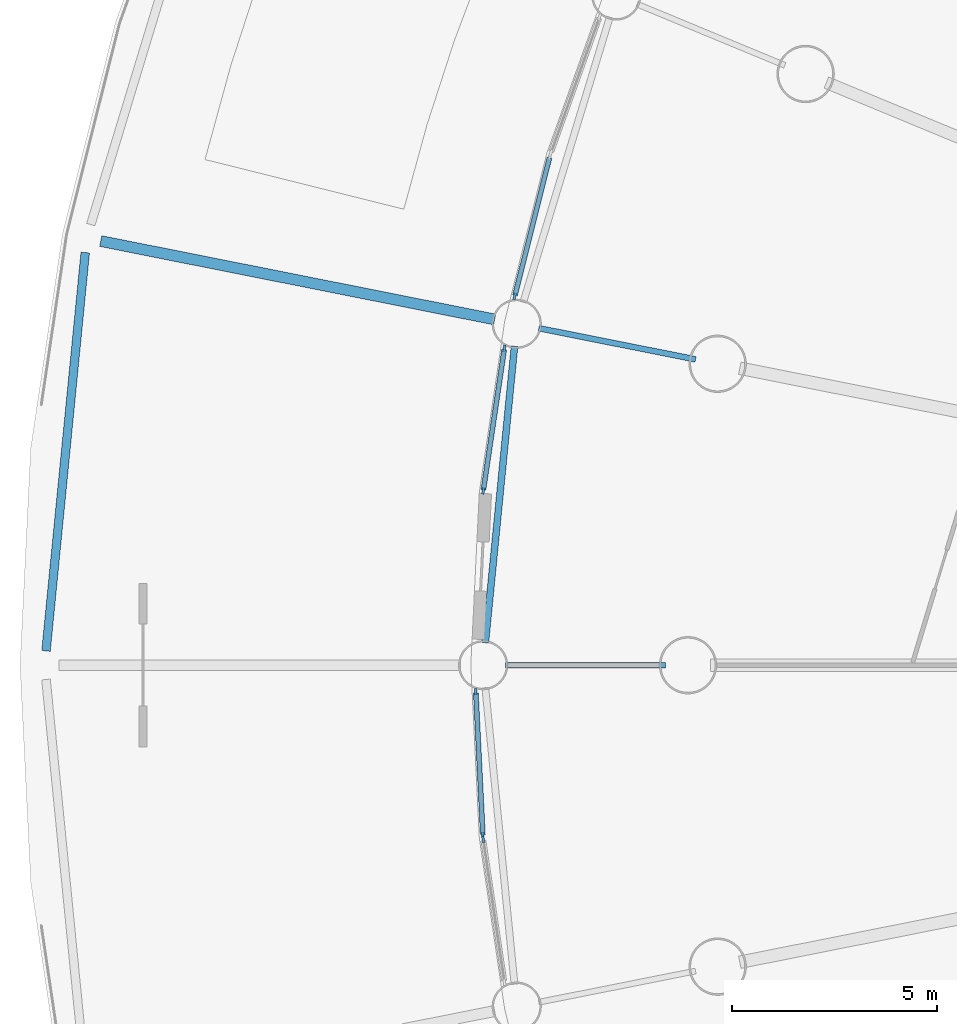
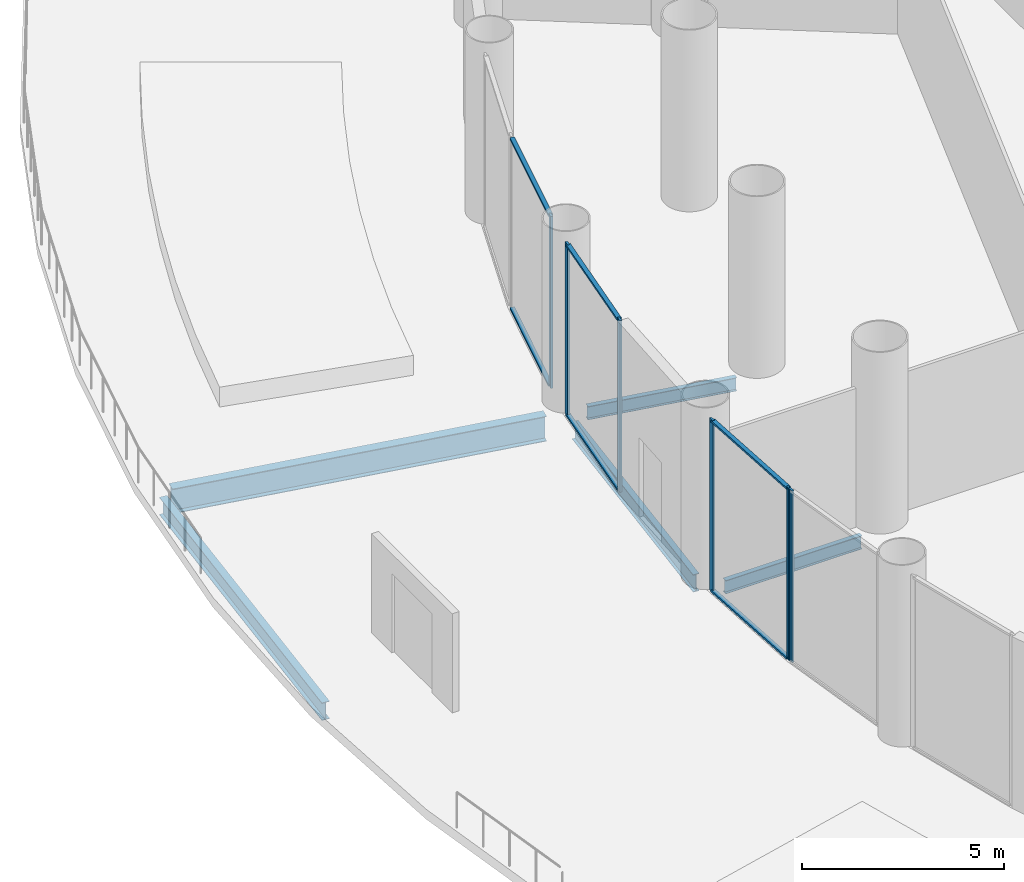
# One storey, part 8 of 36: 12 members, 5 beams, 4 elements without a shape of their own.
"""IFC4 building model written with IfcOpenShell, lengths in metres."""

import ifcopenshell
import ifcopenshell.guid

model = None  # the IFC model being written
_history = None  # IfcOwnerHistory: only IFC2X3 demands one
_inside = {}  # id of a spatial element -> (the spatial element, [elements in it])
_under = {}  # id of a project, library or spatial element -> (it, [spatial elements below it])
_declared = {}  # id of a project -> (the project, [libraries it declares])
_typed = {}  # id of a type object -> (the type object, [elements of that type])
_made_of = {}  # id of a material, layer set ... -> (it, [elements and type objects made of it])


def new_model(schema):
    """Start an empty IFC model of exactly this schema.

    Asked for "IFC4X3", IfcOpenShell would pick the latest addendum, in which some entities
    have other attributes; the version numbers below select the first issue.
    IFC2X3 requires an IfcOwnerHistory on every rooted entity: one is made here for all.
    """
    global model, _history
    if schema == "IFC4X3":
        model = ifcopenshell.file(schema_version=(4, 3, 0, 0))
    else:
        model = ifcopenshell.file(schema=schema)
    _inside.clear()
    _under.clear()
    _declared.clear()
    _typed.clear()
    _made_of.clear()
    _history = None
    if model.schema == "IFC2X3":
        org = make("IfcOrganization", Name="unknown")
        user = make(
            "IfcPersonAndOrganization",
            ThePerson=make("IfcPerson", FamilyName="unknown"),
            TheOrganization=org,
        )
        app = make(
            "IfcApplication",
            ApplicationDeveloper=org,
            Version="unknown",
            ApplicationFullName="unknown",
            ApplicationIdentifier="unknown",
        )
        _history = make(
            "IfcOwnerHistory",
            OwningUser=user,
            OwningApplication=app,
            ChangeAction="ADDED",
            CreationDate=0,
        )
    return model


def make(cls, **values):
    """One entity of the class cls with the attributes given. An attribute that is None is left unset."""
    return model.create_entity(
        cls, **{name: value for name, value in values.items() if value is not None}
    )


def rooted(cls, **values):
    """An entity with a GlobalId (a new one), such as an element, a storey or a relation."""
    return make(cls, GlobalId=ifcopenshell.guid.new(), OwnerHistory=_history, **values)


def si_unit(unit_type, name, prefix=None):
    """IfcSIUnit, for example si_unit("LENGTHUNIT", "METRE", prefix="MILLI")."""
    return make("IfcSIUnit", UnitType=unit_type, Prefix=prefix, Name=name)


def assignment(units):
    """IfcUnitAssignment: the units of a project."""
    return None if units is None else make("IfcUnitAssignment", Units=units)


def point(xyz):
    """IfcCartesianPoint."""
    return None if xyz is None else make("IfcCartesianPoint", Coordinates=xyz)


def direction(xyz):
    """IfcDirection."""
    return None if xyz is None else make("IfcDirection", DirectionRatios=xyz)


def frame(location, z_axis=None, x_axis=None):
    """IfcAxis2Placement3D, a coordinate frame: its origin and axes. An axis left out is left unset."""
    return make(
        "IfcAxis2Placement3D",
        Location=point(location),
        Axis=direction(z_axis),
        RefDirection=direction(x_axis),
    )


def frame_2d(location, x_axis=None):
    """IfcAxis2Placement2D, a coordinate frame in the plane: its origin and x axis."""
    return make(
        "IfcAxis2Placement2D", Location=point(location), RefDirection=direction(x_axis)
    )


def origin():
    """The frame at (0, 0, 0) with its axes left unset."""
    return frame((0.0, 0.0, 0.0))


def origin_2d():
    """The frame at (0, 0) in the plane with its x axis left unset."""
    return frame_2d((0.0, 0.0))


def place(relative_to, where):
    """IfcLocalPlacement: puts the frame where relative to a parent placement (None: the world)."""
    return make(
        "IfcLocalPlacement", PlacementRelTo=relative_to, RelativePlacement=where
    )


def context(
    kind, dimensions, precision=None, world=None, true_north=None, identifier=None
):
    """IfcGeometricRepresentationContext, for example the 3D "Model" context."""
    return make(
        "IfcGeometricRepresentationContext",
        ContextIdentifier=identifier,
        ContextType=kind,
        CoordinateSpaceDimension=dimensions,
        Precision=precision,
        WorldCoordinateSystem=world,
        TrueNorth=true_north,
    )


def subcontext(parent, identifier, kind, view, scale=None):
    """IfcGeometricRepresentationSubContext, for example "Body" below "Model"."""
    return make(
        "IfcGeometricRepresentationSubContext",
        ContextIdentifier=identifier,
        ContextType=kind,
        ParentContext=parent,
        TargetScale=scale,
        TargetView=view,
    )


def project(units=None, contexts=None):
    """IfcProject with its units and contexts."""
    return rooted(
        "IfcProject",
        Name="project",
        RepresentationContexts=contexts,
        UnitsInContext=assignment(units),
    )


def spatial(cls, under=None, at=None, **own):
    """A site, building, storey or space (cls), placed at a placement, below another one or the project."""
    s = rooted(cls, ObjectPlacement=at, **own)
    if under is not None:
        _under.setdefault(under.id(), (under, []))[1].append(s)
    return s


def profile(cls, at=None, kind="AREA", **sizes):
    """A parametric profile (cls). Its sizes go by their IFC names, for example OverallWidth=200.0."""
    return make(cls, ProfileType=kind, Position=at, **sizes)


def rectangle(**sizes):
    """IfcRectangleProfileDef."""
    return profile("IfcRectangleProfileDef", **sizes)


def i_section(**sizes):
    """IfcIShapeProfileDef."""
    return profile("IfcIShapeProfileDef", **sizes)


def extrude(swept, where, along, depth):
    """IfcExtrudedAreaSolid: the profile swept, set in the frame where, extruded along a direction by depth."""
    return make(
        "IfcExtrudedAreaSolid",
        SweptArea=swept,
        Position=where,
        ExtrudedDirection=direction(along),
        Depth=depth,
    )


def shape(context_of_items, identifier, shape_type, items):
    """IfcShapeRepresentation: the items that make up one representation, for example the "Body"."""
    return make(
        "IfcShapeRepresentation",
        ContextOfItems=context_of_items,
        RepresentationIdentifier=identifier,
        RepresentationType=shape_type,
        Items=items,
    )


def material(Name=None, Category=None):
    """IfcMaterial."""
    return make("IfcMaterial", Name=Name, Category=Category)


def material_profile(
    of_material, cross_section, Name=None, Category=None, Priority=None
):
    """IfcMaterialProfile: a cross section and its material."""
    return make(
        "IfcMaterialProfile",
        Name=Name,
        Material=of_material,
        Profile=cross_section,
        Priority=Priority,
        Category=Category,
    )


def profile_set(profiles, Name=None, composite=None):
    """IfcMaterialProfileSet."""
    return make(
        "IfcMaterialProfileSet",
        Name=Name,
        MaterialProfiles=profiles,
        CompositeProfile=composite,
    )


def made_of(thing, what):
    """Note that an element or type object is made of a material, layer set ...; save() writes the relation."""
    if what is not None:
        _made_of.setdefault(what.id(), (what, []))[1].append(thing)
    return thing


def type_object(cls, material=None, **own):
    """A type object (cls), such as IfcWallType, which elements share."""
    return made_of(rooted(cls, **own), material)


def element(
    cls,
    number,
    at=None,
    inside=None,
    cuts=None,
    type_object=None,
    material=None,
    context=None,
    identifier="Body",
    shape_type=None,
    held_by="IfcProductDefinitionShape",
    body=None,
    shapes=None,
    **own,
):
    """One element of the class cls, such as IfcWall. Its Tag is "e" and its number.

    at: its placement. inside: the storey or other place that contains it. cuts: it is an
    opening in that element (IfcRelVoidsElement). A single representation is given by context,
    identifier, shape_type and body (its items); several are given by shapes. held_by: the class
    of the entity that holds the representations. save() writes the other relations.
    """
    e = rooted(cls, Tag="e%d" % number, ObjectPlacement=at, **own)
    if body is not None:
        shapes = [shape(context, identifier, shape_type, body)]
    if shapes is not None:
        e.Representation = make(held_by, Representations=shapes)
    if inside is not None:
        _inside.setdefault(inside.id(), (inside, []))[1].append(e)
    if cuts is not None:
        rooted(
            "IfcRelVoidsElement", RelatingBuildingElement=cuts, RelatedOpeningElement=e
        )
    if type_object is not None:
        _typed.setdefault(type_object.id(), (type_object, []))[1].append(e)
    return made_of(e, material)


def aggregate(whole, parts):
    """IfcRelAggregates: a whole, such as a stair, and the parts it consists of."""
    return rooted("IfcRelAggregates", RelatingObject=whole, RelatedObjects=parts)


def save(model, path):
    """Write the relations noted so far, then the file.

    IfcRelAggregates (storeys below a building ...), IfcRelContainedInSpatialStructure (elements
    in a storey), IfcRelDefinesByType, IfcRelAssociatesMaterial and IfcRelDeclares: one each for
    every whole, place, type object, material and project.
    """
    for whole, parts in _under.values():
        aggregate(whole, parts)
    for where, things in _inside.values():
        rooted(
            "IfcRelContainedInSpatialStructure",
            RelatedElements=things,
            RelatingStructure=where,
        )
    for kind, things in _typed.values():
        rooted("IfcRelDefinesByType", RelatedObjects=things, RelatingType=kind)
    for what, things in _made_of.values():
        rooted("IfcRelAssociatesMaterial", RelatedObjects=things, RelatingMaterial=what)
    for by, libraries in _declared.values():
        rooted("IfcRelDeclares", RelatingContext=by, RelatedDefinitions=libraries)
    model.write(path)


model = new_model("IFC4")

# Units and contexts
model_context = context("Model", 3, precision=1e-05, world=origin(), true_north=direction((0.0, 1.0)))
body_context = subcontext(model_context, "Body", "Model", "MODEL_VIEW")
ifc_project = project(units=[si_unit("LENGTHUNIT", "METRE"), si_unit("AREAUNIT", "SQUARE_METRE"), si_unit("VOLUMEUNIT", "CUBIC_METRE"), si_unit("PLANEANGLEUNIT", "RADIAN"), si_unit("MASSUNIT", "GRAM", prefix="KILO")], contexts=[model_context])

# Site, building, storey
site_placement = place(None, origin())
site = spatial("IfcSite", under=ifc_project, at=site_placement, CompositionType="ELEMENT")
building_placement = place(site_placement, origin())
building = spatial("IfcBuilding", under=site, at=building_placement, Name="Corvane Civic Tower", CompositionType="ELEMENT")
storey_placement = place(building_placement, frame((0.0, 0.0, 6.0)))
storey = spatial("IfcBuildingStorey", under=building, at=storey_placement, Name="L01", CompositionType="ELEMENT", Elevation=6.0)

# Beams
ifc_material_1 = material(Name="Steel ASTM A992 Gr 50", Category="steel")
ifc_material_profile_1 = material_profile(ifc_material_1, i_section(OverallWidth=0.2666015625, OverallDepth=0.7568359375, WebThickness=0.013916015625, FlangeThickness=0.019287109375, at=origin_2d()), Name="W30X108")
ifc_profile_set_1 = profile_set([ifc_material_profile_1], Name="Steel ASTM A992 Gr 50")
beam_type_1 = type_object("IfcBeamType", Name="DECK BEAM W30X108", PredefinedType="BEAM", material=ifc_profile_set_1)
beam_1_placement = place(storey_placement, frame((-42.4189453125, 8.437744140625, -0.678466796875), z_axis=(-0.980786137942, 0.195086010826, 0.0), x_axis=(-0.195086010826, -0.980786137942, 0.0)))
element("IfcBeam", 1, at=beam_1_placement, inside=storey, type_object=beam_type_1, Name="BM-L01-D26", PredefinedType="BEAM", context=body_context, shape_type="SweptSolid", body=[
    extrude(i_section(OverallWidth=0.2666015625, OverallDepth=0.7568359375, WebThickness=0.013916015625, FlangeThickness=0.019287109375, at=origin_2d()), origin(), (0.0, 0.0, 1.0), 9.800048828125),
])
ifc_material_2 = material(Name="Steel ASTM A992 Gr 50", Category="steel")
ifc_material_profile_2 = material_profile(ifc_material_2, i_section(OverallWidth=0.165771484375, OverallDepth=0.5283203125, WebThickness=0.009765625, FlangeThickness=0.013671875, at=origin_2d()), Name="W21X50")
ifc_profile_set_2 = profile_set([ifc_material_profile_2], Name="Steel ASTM A992 Gr 50")
beam_type_2 = type_object("IfcBeamType", Name="EDGE BEAM W21X50", PredefinedType="BEAM", material=ifc_profile_set_2)
beam_2_placement = place(storey_placement, frame((-42.64599609375, 0.54736328125, -0.564208984375), z_axis=(0.097984225478, 0.995187967953, 0.0), x_axis=(-0.995187967953, 0.097984225478, 0.0)))
element("IfcBeam", 2, at=beam_2_placement, inside=storey, type_object=beam_type_2, Name="BM-L01-E25", PredefinedType="BEAM", context=body_context, shape_type="SweptSolid", body=[
    extrude(i_section(OverallWidth=0.165771484375, OverallDepth=0.5283203125, WebThickness=0.009765625, FlangeThickness=0.013671875, at=origin_2d()), origin(), (0.0, 0.0, 1.0), 7.2705078125),
])
ifc_material_3 = material(Name="Steel ASTM A992 Gr 50", Category="steel")
ifc_material_profile_3 = material_profile(ifc_material_3, i_section(OverallWidth=0.209228515625, OverallDepth=0.533447265625, WebThickness=0.01025390625, FlangeThickness=0.015625, at=origin_2d()), Name="W21X62")
ifc_profile_set_3 = profile_set([ifc_material_profile_3], Name="Steel ASTM A992 Gr 50")
beam_type_3 = type_object("IfcBeamType", Name="EDGE BEAM W21X62", PredefinedType="BEAM", material=ifc_profile_set_3)
beam_3_placement = place(storey_placement, frame((-53.365478515625, 0.348388671875, -0.566650390625), z_axis=(0.098001490731, 0.995186267899, 0.0), x_axis=(-0.995186267899, 0.098001490731, 0.0)))
element("IfcBeam", 3, at=beam_3_placement, inside=storey, type_object=beam_type_3, Name="BM-L01-H25", PredefinedType="BEAM", context=body_context, shape_type="SweptSolid", body=[
    extrude(i_section(OverallWidth=0.209228515625, OverallDepth=0.533447265625, WebThickness=0.01025390625, FlangeThickness=0.015625, at=origin_2d()), origin(), (0.0, 0.0, 1.0), 9.76806640625),
])
ifc_material_4 = material(Name="Steel ASTM A992 Gr 50", Category="steel")
ifc_material_profile_4 = material_profile(ifc_material_4, i_section(OverallWidth=0.140380859375, OverallDepth=0.40380859375, WebThickness=0.007080078125, FlangeThickness=0.01123046875, at=origin_2d()), Name="W16X31")
ifc_profile_set_4 = profile_set([ifc_material_profile_4], Name="Steel ASTM A992 Gr 50")
beam_type_4 = type_object("IfcBeamType", Name="FLOOR GIRDER W16X31", PredefinedType="BEAM", material=ifc_profile_set_4)
for number, where, z_axis, x_axis, name in (
    (4, (-38.25, 0.0, -0.501953125), (-1.0, 0.0, 0.0), (0.0, -1.0, 0.0), "BM-L01-G25b"),
    (5, (-37.51513671875, 7.462158203125, -0.501953125), (-0.980777614264, 0.195128858343, 0.0), (-0.195128858343, -0.980777614264, 0.0), "BM-L01-G26b"),
):
    element("IfcBeam", number, at=place(storey_placement, frame(where, z_axis=z_axis, x_axis=x_axis)), inside=storey, type_object=beam_type_4, Name=name, PredefinedType="BEAM", context=body_context, shape_type="SweptSolid", body=[
        extrude(i_section(OverallWidth=0.140380859375, OverallDepth=0.40380859375, WebThickness=0.007080078125, FlangeThickness=0.01123046875, at=origin_2d()), origin(), (0.0, 0.0, 1.0), 3.89990234375),
    ])

# Curtain wall, member
ifc_material_5 = material(Name="Aluminium and glass", Category="aluminium")
curtain_wall_type = type_object("IfcCurtainWallType", Name="PODIUM-CW-P-RUN", PredefinedType="NOTDEFINED", material=ifc_material_5)
curtain_wall_1_placement = place(storey_placement, origin())
curtain_wall_1 = element("IfcCurtainWall", 6, at=curtain_wall_1_placement, inside=storey, type_object=curtain_wall_type, Name="PODI run L01-drum-24A", PredefinedType="NOTDEFINED")
ifc_material_6 = material(Name="Anodised aluminium bronze", Category="aluminium")
ifc_material_profile_5 = material_profile(ifc_material_6, rectangle(XDim=0.06005859375, YDim=0.159912109375, at=origin_2d()), Name="AL 60x160")
ifc_profile_set_5 = profile_set([ifc_material_profile_5], Name="Anodised aluminium bronze")
member_type_1 = type_object("IfcMemberType", Name="PODIUM-CWP-MULLION-60x160", PredefinedType="MULLION", material=ifc_profile_set_5)
member_1_placement = place(storey_placement, frame((-42.696533203125, -4.2509765625, 0.0), z_axis=(0.0, 0.0, 1.0), x_axis=(-0.989178850608, -0.146714694252, 0.0)))
member_1 = element("IfcMember", 7, at=member_1_placement, type_object=member_type_1, Name="CW-P mullion 2", PredefinedType="MULLION", context=body_context, shape_type="SweptSolid", body=[
    extrude(rectangle(XDim=0.06005859375, YDim=0.159912109375, at=origin_2d()), origin(), (0.0, 0.0, 1.0), 5.199951171875),
])
aggregate(curtain_wall_1, [member_1])

# Curtain wall, members
curtain_wall_2_placement = place(storey_placement, origin())
curtain_wall_2 = element("IfcCurtainWall", 8, at=curtain_wall_2_placement, inside=storey, type_object=curtain_wall_type, Name="PODI run L01-drum-24B", PredefinedType="NOTDEFINED")
member_2_placement = place(storey_placement, frame((-42.70556640625, -4.16064453125, 0.0), z_axis=(0.0, 0.0, 1.0), x_axis=(-0.998796316803, -0.04905015332, 0.0)))
member_2 = element("IfcMember", 9, at=member_2_placement, type_object=member_type_1, Name="CW-P mullion 1", PredefinedType="MULLION", context=body_context, shape_type="SweptSolid", body=[
    extrude(rectangle(XDim=0.06005859375, YDim=0.159912109375, at=origin_2d()), origin(), (0.0, 0.0, 1.0), 5.199951171875),
])
member_3_placement = place(storey_placement, frame((-42.878173828125, -0.644775390625, 0.0), z_axis=(0.0, 0.0, 1.0), x_axis=(-0.998796316803, -0.04905015332, 0.0)))
member_3 = element("IfcMember", 10, at=member_3_placement, type_object=member_type_1, Name="CW-P mullion 2", PredefinedType="MULLION", context=body_context, shape_type="SweptSolid", body=[
    extrude(rectangle(XDim=0.06005859375, YDim=0.159912109375, at=origin_2d()), origin(), (0.0, 0.0, 1.0), 5.199951171875),
])

curtain_wall_3_placement = place(storey_placement, origin())
curtain_wall_3 = element("IfcCurtainWall", 11, at=curtain_wall_3_placement, inside=storey, type_object=curtain_wall_type, Name="PODI run L01-drum-25B", PredefinedType="NOTDEFINED")
member_4_placement = place(storey_placement, frame((-42.696533203125, 4.2509765625, 0.0), z_axis=(0.0, 0.0, 1.0), x_axis=(-0.989178850608, 0.146714694252, 0.0)))
member_4 = element("IfcMember", 12, at=member_4_placement, type_object=member_type_1, Name="CW-P mullion 1", PredefinedType="MULLION", context=body_context, shape_type="SweptSolid", body=[
    extrude(rectangle(XDim=0.06005859375, YDim=0.159912109375, at=origin_2d()), origin(), (0.0, 0.0, 1.0), 5.199951171875),
])
member_5_placement = place(storey_placement, frame((-42.18017578125, 7.732666015625, 0.0), z_axis=(0.0, 0.0, 1.0), x_axis=(-0.989178850608, 0.146714694252, 0.0)))
member_5 = element("IfcMember", 13, at=member_5_placement, type_object=member_type_1, Name="CW-P mullion 2", PredefinedType="MULLION", context=body_context, shape_type="SweptSolid", body=[
    extrude(rectangle(XDim=0.06005859375, YDim=0.159912109375, at=origin_2d()), origin(), (0.0, 0.0, 1.0), 5.199951171875),
])

# Curtain wall, member
curtain_wall_4_placement = place(storey_placement, origin())
curtain_wall_4 = element("IfcCurtainWall", 14, at=curtain_wall_4_placement, inside=storey, type_object=curtain_wall_type, Name="PODI run L01-drum-26A", PredefinedType="NOTDEFINED")
member_6_placement = place(storey_placement, frame((-41.9287109375, 8.99755859375, 0.0), z_axis=(0.0, 0.0, 1.0), x_axis=(-0.970024070659, 0.243008852393, 0.0)))
member_6 = element("IfcMember", 15, at=member_6_placement, type_object=member_type_1, Name="CW-P mullion 1", PredefinedType="MULLION", context=body_context, shape_type="SweptSolid", body=[
    extrude(rectangle(XDim=0.06005859375, YDim=0.159912109375, at=origin_2d()), origin(), (0.0, 0.0, 1.0), 5.199951171875),
])

# Member
ifc_material_7 = material(Name="Anodised aluminium bronze", Category="aluminium")
ifc_material_profile_6 = material_profile(ifc_material_7, rectangle(XDim=0.1201171875, YDim=0.06005859375, at=origin_2d()), Name="AL 120x60")
ifc_profile_set_6 = profile_set([ifc_material_profile_6], Name="Anodised aluminium bronze")
member_type_2 = type_object("IfcMemberType", Name="PODIUM-CWP-TRANSOM-60x120", PredefinedType="USERDEFINED", material=ifc_profile_set_6)
member_7_placement = place(storey_placement, frame((-42.70703125, -4.130615234375, 0.030029296875), z_axis=(-0.049040182301, 0.998796806423, 0.0), x_axis=(-0.998796806423, -0.049040182301, 0.0)))
member_7 = element("IfcMember", 16, at=member_7_placement, type_object=member_type_2, Name="CW-P transom 1.1", ObjectType="TRANSOM", PredefinedType="USERDEFINED", context=body_context, shape_type="SweptSolid", body=[
    extrude(rectangle(XDim=0.1201171875, YDim=0.06005859375, at=origin_2d()), origin(), (0.0, 0.0, 1.0), 3.4599609375),
])

member_8_placement = place(storey_placement, frame((-42.70703125, -4.130615234375, 5.169921875), z_axis=(-0.049040182301, 0.998796806423, 0.0), x_axis=(-0.998796806423, -0.049040182301, 0.0)))
member_8 = element("IfcMember", 17, at=member_8_placement, type_object=member_type_2, Name="CW-P transom 1.2", ObjectType="TRANSOM", PredefinedType="USERDEFINED", context=body_context, shape_type="SweptSolid", body=[
    extrude(rectangle(XDim=0.1201171875, YDim=0.06005859375, at=origin_2d()), origin(), (0.0, 0.0, 1.0), 3.4599609375),
])

aggregate(curtain_wall_2, [member_2, member_3, member_7, member_8])

member_9_placement = place(storey_placement, frame((-42.692138671875, 4.28076171875, 0.030029296875), z_axis=(0.146704660039, 0.989180338828, 0.0), x_axis=(-0.989180338828, 0.146704660039, 0.0)))
member_9 = element("IfcMember", 18, at=member_9_placement, type_object=member_type_2, Name="CW-P transom 1.1", ObjectType="TRANSOM", PredefinedType="USERDEFINED", context=body_context, shape_type="SweptSolid", body=[
    extrude(rectangle(XDim=0.1201171875, YDim=0.06005859375, at=origin_2d()), origin(), (0.0, 0.0, 1.0), 3.459716796875),
])

member_10_placement = place(storey_placement, frame((-42.692138671875, 4.28076171875, 5.169921875), z_axis=(0.146704660039, 0.989180338828, 0.0), x_axis=(-0.989180338828, 0.146704660039, 0.0)))
member_10 = element("IfcMember", 19, at=member_10_placement, type_object=member_type_2, Name="CW-P transom 1.2", ObjectType="TRANSOM", PredefinedType="USERDEFINED", context=body_context, shape_type="SweptSolid", body=[
    extrude(rectangle(XDim=0.1201171875, YDim=0.06005859375, at=origin_2d()), origin(), (0.0, 0.0, 1.0), 3.459716796875),
])

aggregate(curtain_wall_3, [member_4, member_5, member_9, member_10])

member_11_placement = place(storey_placement, frame((-41.92138671875, 9.026611328125, 0.030029296875), z_axis=(0.243017080124, 0.970022009425, 0.0), x_axis=(-0.970022009425, 0.243017080124, 0.0)))
member_11 = element("IfcMember", 20, at=member_11_placement, type_object=member_type_2, Name="CW-P transom 1.1", ObjectType="TRANSOM", PredefinedType="USERDEFINED", context=body_context, shape_type="SweptSolid", body=[
    extrude(rectangle(XDim=0.1201171875, YDim=0.06005859375, at=origin_2d()), origin(), (0.0, 0.0, 1.0), 3.4599609375),
])

member_12_placement = place(storey_placement, frame((-41.92138671875, 9.026611328125, 5.169921875), z_axis=(0.243017080124, 0.970022009425, 0.0), x_axis=(-0.970022009425, 0.243017080124, 0.0)))
member_12 = element("IfcMember", 21, at=member_12_placement, type_object=member_type_2, Name="CW-P transom 1.2", ObjectType="TRANSOM", PredefinedType="USERDEFINED", context=body_context, shape_type="SweptSolid", body=[
    extrude(rectangle(XDim=0.1201171875, YDim=0.06005859375, at=origin_2d()), origin(), (0.0, 0.0, 1.0), 3.4599609375),
])

aggregate(curtain_wall_4, [member_6, member_11, member_12])

save(model, "model.ifc")
